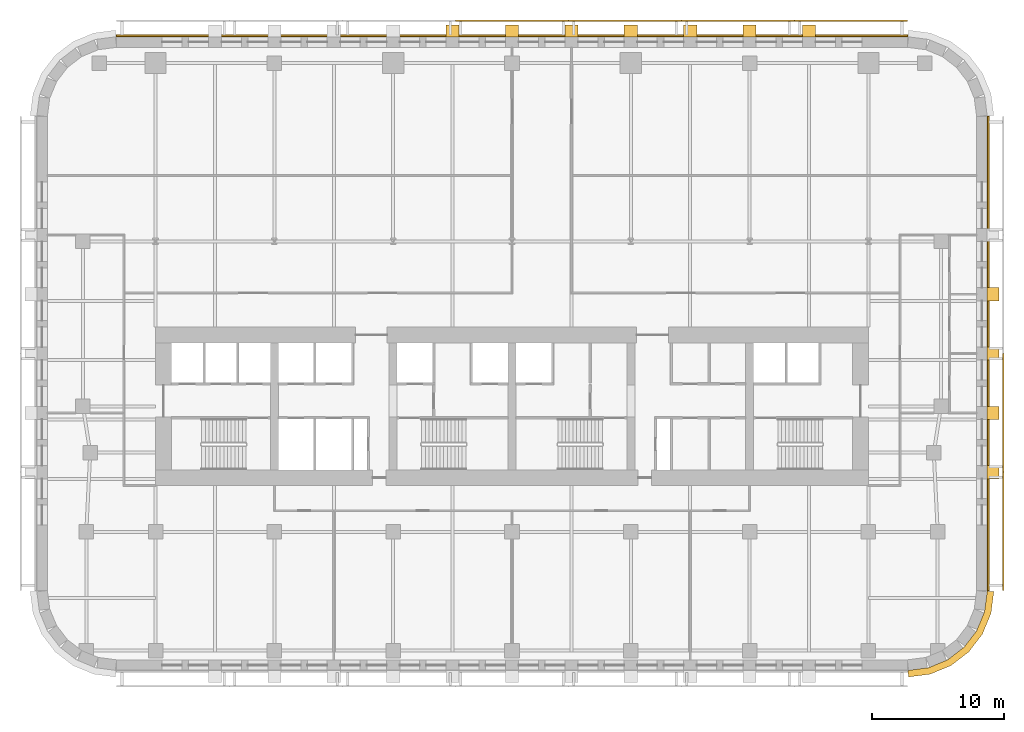
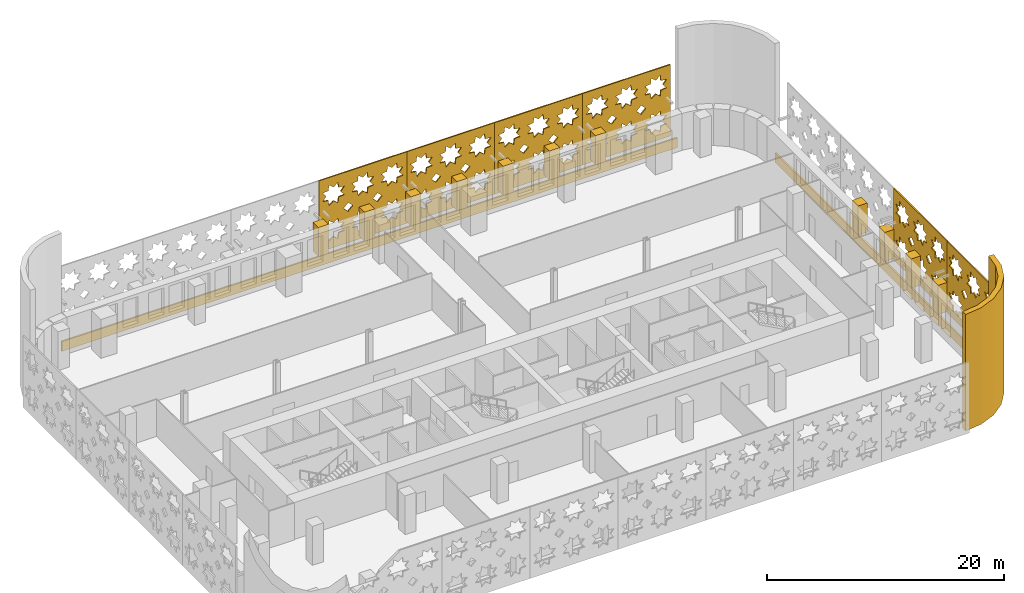
# One storey, part 14 of 15: 20 coverings.
"""IFC4 building model written with IfcOpenShell, lengths in metres."""

import ifcopenshell
import ifcopenshell.guid

model = None  # the IFC model being written
_history = None  # IfcOwnerHistory: only IFC2X3 demands one
_inside = {}  # id of a spatial element -> (the spatial element, [elements in it])
_under = {}  # id of a project, library or spatial element -> (it, [spatial elements below it])
_declared = {}  # id of a project -> (the project, [libraries it declares])
_typed = {}  # id of a type object -> (the type object, [elements of that type])
_made_of = {}  # id of a material, layer set ... -> (it, [elements and type objects made of it])


def new_model(schema):
    """Start an empty IFC model of exactly this schema.

    Asked for "IFC4X3", IfcOpenShell would pick the latest addendum, in which some entities
    have other attributes; the version numbers below select the first issue.
    IFC2X3 requires an IfcOwnerHistory on every rooted entity: one is made here for all.
    """
    global model, _history
    if schema == "IFC4X3":
        model = ifcopenshell.file(schema_version=(4, 3, 0, 0))
    else:
        model = ifcopenshell.file(schema=schema)
    _inside.clear()
    _under.clear()
    _declared.clear()
    _typed.clear()
    _made_of.clear()
    _history = None
    if model.schema == "IFC2X3":
        org = make("IfcOrganization", Name="unknown")
        user = make(
            "IfcPersonAndOrganization",
            ThePerson=make("IfcPerson", FamilyName="unknown"),
            TheOrganization=org,
        )
        app = make(
            "IfcApplication",
            ApplicationDeveloper=org,
            Version="unknown",
            ApplicationFullName="unknown",
            ApplicationIdentifier="unknown",
        )
        _history = make(
            "IfcOwnerHistory",
            OwningUser=user,
            OwningApplication=app,
            ChangeAction="ADDED",
            CreationDate=0,
        )
    return model


def make(cls, **values):
    """One entity of the class cls with the attributes given. An attribute that is None is left unset."""
    return model.create_entity(
        cls, **{name: value for name, value in values.items() if value is not None}
    )


def rooted(cls, **values):
    """An entity with a GlobalId (a new one), such as an element, a storey or a relation."""
    return make(cls, GlobalId=ifcopenshell.guid.new(), OwnerHistory=_history, **values)


def si_unit(unit_type, name, prefix=None):
    """IfcSIUnit, for example si_unit("LENGTHUNIT", "METRE", prefix="MILLI")."""
    return make("IfcSIUnit", UnitType=unit_type, Prefix=prefix, Name=name)


def assignment(units):
    """IfcUnitAssignment: the units of a project."""
    return None if units is None else make("IfcUnitAssignment", Units=units)


def point(xyz):
    """IfcCartesianPoint."""
    return None if xyz is None else make("IfcCartesianPoint", Coordinates=xyz)


def direction(xyz):
    """IfcDirection."""
    return None if xyz is None else make("IfcDirection", DirectionRatios=xyz)


def frame(location, z_axis=None, x_axis=None):
    """IfcAxis2Placement3D, a coordinate frame: its origin and axes. An axis left out is left unset."""
    return make(
        "IfcAxis2Placement3D",
        Location=point(location),
        Axis=direction(z_axis),
        RefDirection=direction(x_axis),
    )


def origin():
    """The frame at (0, 0, 0) with its axes left unset."""
    return frame((0.0, 0.0, 0.0))


def place(relative_to, where):
    """IfcLocalPlacement: puts the frame where relative to a parent placement (None: the world)."""
    return make(
        "IfcLocalPlacement", PlacementRelTo=relative_to, RelativePlacement=where
    )


def context(
    kind, dimensions, precision=None, world=None, true_north=None, identifier=None
):
    """IfcGeometricRepresentationContext, for example the 3D "Model" context."""
    return make(
        "IfcGeometricRepresentationContext",
        ContextIdentifier=identifier,
        ContextType=kind,
        CoordinateSpaceDimension=dimensions,
        Precision=precision,
        WorldCoordinateSystem=world,
        TrueNorth=true_north,
    )


def subcontext(parent, identifier, kind, view, scale=None):
    """IfcGeometricRepresentationSubContext, for example "Body" below "Model"."""
    return make(
        "IfcGeometricRepresentationSubContext",
        ContextIdentifier=identifier,
        ContextType=kind,
        ParentContext=parent,
        TargetScale=scale,
        TargetView=view,
    )


def project(units=None, contexts=None):
    """IfcProject with its units and contexts."""
    return rooted(
        "IfcProject",
        Name="project",
        RepresentationContexts=contexts,
        UnitsInContext=assignment(units),
    )


def spatial(cls, under=None, at=None, **own):
    """A site, building, storey or space (cls), placed at a placement, below another one or the project."""
    s = rooted(cls, ObjectPlacement=at, **own)
    if under is not None:
        _under.setdefault(under.id(), (under, []))[1].append(s)
    return s


def polyline(points):
    """IfcPolyline through the points."""
    return make("IfcPolyline", Points=[point(p) for p in points])


def outline(outer, holes=None, kind="AREA"):
    """IfcArbitraryClosedProfileDef: a profile drawn as a closed curve; with holes, ...WithVoids."""
    if holes is None:
        return make("IfcArbitraryClosedProfileDef", ProfileType=kind, OuterCurve=outer)
    return make(
        "IfcArbitraryProfileDefWithVoids",
        ProfileType=kind,
        OuterCurve=outer,
        InnerCurves=holes,
    )


def extrude(swept, where, along, depth):
    """IfcExtrudedAreaSolid: the profile swept, set in the frame where, extruded along a direction by depth."""
    return make(
        "IfcExtrudedAreaSolid",
        SweptArea=swept,
        Position=where,
        ExtrudedDirection=direction(along),
        Depth=depth,
    )


def shape(context_of_items, identifier, shape_type, items):
    """IfcShapeRepresentation: the items that make up one representation, for example the "Body"."""
    return make(
        "IfcShapeRepresentation",
        ContextOfItems=context_of_items,
        RepresentationIdentifier=identifier,
        RepresentationType=shape_type,
        Items=items,
    )


def material(Name=None, Category=None):
    """IfcMaterial."""
    return make("IfcMaterial", Name=Name, Category=Category)


def layer(
    of_material, thickness, ventilated=None, Name=None, Category=None, Priority=None
):
    """IfcMaterialLayer: one layer of a wall or slab, of a material (None: an air gap)."""
    return make(
        "IfcMaterialLayer",
        Material=of_material,
        LayerThickness=thickness,
        IsVentilated=ventilated,
        Name=Name,
        Category=Category,
        Priority=Priority,
    )


def layer_set(layers, Name=None):
    """IfcMaterialLayerSet."""
    return make("IfcMaterialLayerSet", MaterialLayers=layers, LayerSetName=Name)


def made_of(thing, what):
    """Note that an element or type object is made of a material, layer set ...; save() writes the relation."""
    if what is not None:
        _made_of.setdefault(what.id(), (what, []))[1].append(thing)
    return thing


def type_object(cls, material=None, **own):
    """A type object (cls), such as IfcWallType, which elements share."""
    return made_of(rooted(cls, **own), material)


def element(
    cls,
    number,
    at=None,
    inside=None,
    cuts=None,
    type_object=None,
    material=None,
    context=None,
    identifier="Body",
    shape_type=None,
    held_by="IfcProductDefinitionShape",
    body=None,
    shapes=None,
    **own,
):
    """One element of the class cls, such as IfcWall. Its Tag is "e" and its number.

    at: its placement. inside: the storey or other place that contains it. cuts: it is an
    opening in that element (IfcRelVoidsElement). A single representation is given by context,
    identifier, shape_type and body (its items); several are given by shapes. held_by: the class
    of the entity that holds the representations. save() writes the other relations.
    """
    e = rooted(cls, Tag="e%d" % number, ObjectPlacement=at, **own)
    if body is not None:
        shapes = [shape(context, identifier, shape_type, body)]
    if shapes is not None:
        e.Representation = make(held_by, Representations=shapes)
    if inside is not None:
        _inside.setdefault(inside.id(), (inside, []))[1].append(e)
    if cuts is not None:
        rooted(
            "IfcRelVoidsElement", RelatingBuildingElement=cuts, RelatedOpeningElement=e
        )
    if type_object is not None:
        _typed.setdefault(type_object.id(), (type_object, []))[1].append(e)
    return made_of(e, material)


def aggregate(whole, parts):
    """IfcRelAggregates: a whole, such as a stair, and the parts it consists of."""
    return rooted("IfcRelAggregates", RelatingObject=whole, RelatedObjects=parts)


def save(model, path):
    """Write the relations noted so far, then the file.

    IfcRelAggregates (storeys below a building ...), IfcRelContainedInSpatialStructure (elements
    in a storey), IfcRelDefinesByType, IfcRelAssociatesMaterial and IfcRelDeclares: one each for
    every whole, place, type object, material and project.
    """
    for whole, parts in _under.values():
        aggregate(whole, parts)
    for where, things in _inside.values():
        rooted(
            "IfcRelContainedInSpatialStructure",
            RelatedElements=things,
            RelatingStructure=where,
        )
    for kind, things in _typed.values():
        rooted("IfcRelDefinesByType", RelatedObjects=things, RelatingType=kind)
    for what, things in _made_of.values():
        rooted("IfcRelAssociatesMaterial", RelatedObjects=things, RelatingMaterial=what)
    for by, libraries in _declared.values():
        rooted("IfcRelDeclares", RelatingContext=by, RelatedDefinitions=libraries)
    model.write(path)


model = new_model("IFC4")

# Units and contexts
model_context = context("Model", 3, precision=1e-05, world=origin(), true_north=direction((0.0, 1.0)))
body_context = subcontext(model_context, "Body", "Model", "MODEL_VIEW")
ifc_project = project(units=[si_unit("LENGTHUNIT", "METRE"), si_unit("AREAUNIT", "SQUARE_METRE"), si_unit("VOLUMEUNIT", "CUBIC_METRE"), si_unit("PLANEANGLEUNIT", "RADIAN"), si_unit("MASSUNIT", "GRAM", prefix="KILO")], contexts=[model_context])

# Site, building, storey
site_placement = place(None, origin())
site = spatial("IfcSite", under=ifc_project, at=site_placement, CompositionType="ELEMENT")
building_placement = place(site_placement, origin())
building = spatial("IfcBuilding", under=site, at=building_placement, Name="Zellij Exchange Tower", CompositionType="ELEMENT")
storey_placement = place(building_placement, frame((0.0, 0.0, 76.5)))
storey = spatial("IfcBuildingStorey", under=building, at=storey_placement, Name="L15", CompositionType="ELEMENT", Elevation=76.5)

# Coverings
ifc_material_1 = material(Name="Limestone cladding", Category="masonry")
ifc_layer_1 = layer(ifc_material_1, 0.14990234375)
ifc_layer_set_1 = layer_set([ifc_layer_1], Name="Limestone cladding")
covering_type_1 = type_object("IfcCoveringType", Name="ENV-CV1 Stone spandrel band 150", PredefinedType="CLADDING", material=ifc_layer_set_1)
covering_1_placement = place(storey_placement, frame((0.0, 0.0, -0.199951171875)))
element("IfcCovering", 1, at=covering_1_placement, inside=storey, type_object=covering_type_1, Name="Stone spandrel band", PredefinedType="CLADDING", context=body_context, shape_type="SweptSolid", body=[
    extrude(outline(polyline([(36.0, -21.973876953125), (36.0, 13.973876953125), (36.14990234375, 13.983642578125), (36.14990234375, -21.983642578125), (36.0, -21.973876953125)])), origin(), (0.0, 0.0, 1.0), 1.0),
])
covering_2_placement = place(storey_placement, frame((0.0, 0.0, -0.199951171875)))
element("IfcCovering", 2, at=covering_2_placement, inside=storey, type_object=covering_type_1, Name="Stone spandrel band", PredefinedType="CLADDING", context=body_context, shape_type="SweptSolid", body=[
    extrude(outline(polyline([(29.973876953125, 20.0), (-29.973876953125, 20.0), (-29.983642578125, 20.14990234375), (29.983642578125, 20.14990234375), (29.973876953125, 20.0)])), origin(), (0.0, 0.0, 1.0), 1.0),
])
ifc_layer_2 = layer(ifc_material_1, 0.5)
ifc_layer_set_2 = layer_set([ifc_layer_2], Name="Limestone cladding")
covering_type_2 = type_object("IfcCoveringType", Name="ENV-CV12 Stone corner pier 500", PredefinedType="CLADDING", material=ifc_layer_set_2)
covering_3_placement = place(storey_placement, origin())
element("IfcCovering", 3, at=covering_3_placement, inside=storey, type_object=covering_type_2, Name="Stone corner pier", PredefinedType="CLADDING", context=body_context, shape_type="SweptSolid", body=[
    extrude(outline(polyline([(30.0, -28.0), (31.552978515625, -27.795654296875), (33.0, -27.1962890625), (34.24267578125, -26.24267578125), (35.1962890625, -25.0), (35.795654296875, -23.552978515625), (36.0, -22.0), (36.5, -22.03271484375), (36.28271484375, -23.683349609375), (35.6328125, -25.252197265625), (34.59912109375, -26.59912109375), (33.252197265625, -27.6328125), (31.683349609375, -28.28271484375), (30.03271484375, -28.5), (30.0, -28.0)])), origin(), (0.0, 0.0, 1.0), 12.0),
])
covering_type_3 = type_object("IfcCoveringType", Name="ENV-CV2 Stone pier 1000x900", PredefinedType="CLADDING", material=ifc_material_1)
covering_4_placement = place(storey_placement, frame((0.0, 0.0, 0.800048828125)))
element("IfcCovering", 4, at=covering_4_placement, inside=storey, type_object=covering_type_3, Name="Stone pier", PredefinedType="CLADDING", context=body_context, shape_type="SweptSolid", body=[
    extrude(outline(polyline([(36.0, -13.48681640625), (36.0, -12.48681640625), (36.89990234375, -12.48681640625), (36.89990234375, -13.48681640625), (36.0, -13.48681640625)])), origin(), (0.0, 0.0, 1.0), 3.0),
])
covering_5_placement = place(storey_placement, frame((0.0, 0.0, 0.800048828125)))
element("IfcCovering", 5, at=covering_5_placement, inside=storey, type_object=covering_type_3, Name="Stone pier", PredefinedType="CLADDING", context=body_context, shape_type="SweptSolid", body=[
    extrude(outline(polyline([(36.0, -8.993408203125), (36.0, -7.993408203125), (36.89990234375, -7.993408203125), (36.89990234375, -8.993408203125), (36.0, -8.993408203125)])), origin(), (0.0, 0.0, 1.0), 3.0),
])
covering_6_placement = place(storey_placement, frame((0.0, 0.0, 0.800048828125)))
element("IfcCovering", 6, at=covering_6_placement, inside=storey, type_object=covering_type_3, Name="Stone pier", PredefinedType="CLADDING", context=body_context, shape_type="SweptSolid", body=[
    extrude(outline(polyline([(36.0, -4.5), (36.0, -3.5), (36.89990234375, -3.5), (36.89990234375, -4.5), (36.0, -4.5)])), origin(), (0.0, 0.0, 1.0), 3.0),
])
covering_7_placement = place(storey_placement, frame((0.0, 0.0, 0.800048828125)))
element("IfcCovering", 7, at=covering_7_placement, inside=storey, type_object=covering_type_3, Name="Stone pier", PredefinedType="CLADDING", context=body_context, shape_type="SweptSolid", body=[
    extrude(outline(polyline([(36.0, -0.006591796875), (36.0, 0.993408203125), (36.89990234375, 0.993408203125), (36.89990234375, -0.006591796875), (36.0, -0.006591796875)])), origin(), (0.0, 0.0, 1.0), 3.0),
])
covering_8_placement = place(storey_placement, frame((0.0, 0.0, 0.800048828125)))
element("IfcCovering", 8, at=covering_8_placement, inside=storey, type_object=covering_type_3, Name="Stone pier", PredefinedType="CLADDING", context=body_context, shape_type="SweptSolid", body=[
    extrude(outline(polyline([(23.0, 20.0), (22.0, 20.0), (22.0, 20.89990234375), (23.0, 20.89990234375), (23.0, 20.0)])), origin(), (0.0, 0.0, 1.0), 3.0),
])
covering_9_placement = place(storey_placement, frame((0.0, 0.0, 0.800048828125)))
element("IfcCovering", 9, at=covering_9_placement, inside=storey, type_object=covering_type_3, Name="Stone pier", PredefinedType="CLADDING", context=body_context, shape_type="SweptSolid", body=[
    extrude(outline(polyline([(18.5, 20.0), (17.5, 20.0), (17.5, 20.89990234375), (18.5, 20.89990234375), (18.5, 20.0)])), origin(), (0.0, 0.0, 1.0), 3.0),
])
covering_10_placement = place(storey_placement, frame((0.0, 0.0, 0.800048828125)))
element("IfcCovering", 10, at=covering_10_placement, inside=storey, type_object=covering_type_3, Name="Stone pier", PredefinedType="CLADDING", context=body_context, shape_type="SweptSolid", body=[
    extrude(outline(polyline([(14.0, 20.0), (13.0, 20.0), (13.0, 20.89990234375), (14.0, 20.89990234375), (14.0, 20.0)])), origin(), (0.0, 0.0, 1.0), 3.0),
])
covering_11_placement = place(storey_placement, frame((0.0, 0.0, 0.800048828125)))
element("IfcCovering", 11, at=covering_11_placement, inside=storey, type_object=covering_type_3, Name="Stone pier", PredefinedType="CLADDING", context=body_context, shape_type="SweptSolid", body=[
    extrude(outline(polyline([(9.5, 20.0), (8.5, 20.0), (8.5, 20.89990234375), (9.5, 20.89990234375), (9.5, 20.0)])), origin(), (0.0, 0.0, 1.0), 3.0),
])
covering_12_placement = place(storey_placement, frame((0.0, 0.0, 0.800048828125)))
element("IfcCovering", 12, at=covering_12_placement, inside=storey, type_object=covering_type_3, Name="Stone pier", PredefinedType="CLADDING", context=body_context, shape_type="SweptSolid", body=[
    extrude(outline(polyline([(5.0, 20.0), (4.0, 20.0), (4.0, 20.89990234375), (5.0, 20.89990234375), (5.0, 20.0)])), origin(), (0.0, 0.0, 1.0), 3.0),
])
covering_13_placement = place(storey_placement, frame((0.0, 0.0, 0.800048828125)))
element("IfcCovering", 13, at=covering_13_placement, inside=storey, type_object=covering_type_3, Name="Stone pier", PredefinedType="CLADDING", context=body_context, shape_type="SweptSolid", body=[
    extrude(outline(polyline([(0.5, 20.0), (-0.5, 20.0), (-0.5, 20.89990234375), (0.5, 20.89990234375), (0.5, 20.0)])), origin(), (0.0, 0.0, 1.0), 3.0),
])
covering_14_placement = place(storey_placement, frame((0.0, 0.0, 0.800048828125)))
element("IfcCovering", 14, at=covering_14_placement, inside=storey, type_object=covering_type_3, Name="Stone pier", PredefinedType="CLADDING", context=body_context, shape_type="SweptSolid", body=[
    extrude(outline(polyline([(-4.0, 20.0), (-5.0, 20.0), (-5.0, 20.89990234375), (-4.0, 20.89990234375), (-4.0, 20.0)])), origin(), (0.0, 0.0, 1.0), 3.0),
])
ifc_material_2 = material(Name="Limestone screen", Category="masonry")
ifc_layer_3 = layer(ifc_material_2, 0.1201171875)
ifc_layer_set_3 = layer_set([ifc_layer_3], Name="Limestone screen")
covering_type_4 = type_object("IfcCoveringType", Name="ENV-SC1 Pierced stone screen 120", PredefinedType="USERDEFINED", material=ifc_layer_set_3)
covering_15_placement = place(storey_placement, frame((29.947509765625, 21.2099609375, 0.300048828125), z_axis=(0.0, 0.0, 1.0), x_axis=(-1.0, 0.0, 0.0)))
element("IfcCovering", 15, at=covering_15_placement, inside=storey, type_object=covering_type_4, Name="Pierced stone screen", ObjectType="SCREEN", PredefinedType="USERDEFINED", context=body_context, shape_type="SweptSolid", body=[
    extrude(outline(polyline([(0.0, 0.0), (8.556396484375, 0.0), (8.556396484375, 7.35009765625), (0.0, 7.35009765625), (0.0, 0.0)]), holes=[polyline([(2.47998046875, 2.274169921875), (1.92626953125, 2.337646484375), (1.86279296875, 2.8916015625), (1.426025390625, 2.544921875), (0.989501953125, 2.8916015625), (0.92578125, 2.337646484375), (0.3720703125, 2.274169921875), (0.71875, 1.83740234375), (0.3720703125, 1.40087890625), (0.92578125, 1.33740234375), (0.989501953125, 0.783447265625), (1.426025390625, 1.130126953125), (1.86279296875, 0.783447265625), (1.92626953125, 1.33740234375), (2.47998046875, 1.40087890625), (2.13330078125, 1.83740234375), (2.47998046875, 2.274169921875)]), polyline([(2.47998046875, 5.94921875), (1.92626953125, 6.0126953125), (1.86279296875, 6.56640625), (1.426025390625, 6.2197265625), (0.989501953125, 6.56640625), (0.92578125, 6.0126953125), (0.3720703125, 5.94921875), (0.71875, 5.512451171875), (0.3720703125, 5.075927734375), (0.92578125, 5.01220703125), (0.989501953125, 4.45849609375), (1.426025390625, 4.80517578125), (1.86279296875, 4.45849609375), (1.92626953125, 5.01220703125), (2.47998046875, 5.075927734375), (2.13330078125, 5.512451171875), (2.47998046875, 5.94921875)]), polyline([(5.332275390625, 2.274169921875), (4.7783203125, 2.337646484375), (4.71484375, 2.8916015625), (4.2783203125, 2.544921875), (3.841552734375, 2.8916015625), (3.778076171875, 2.337646484375), (3.22412109375, 2.274169921875), (3.57080078125, 1.83740234375), (3.22412109375, 1.40087890625), (3.778076171875, 1.33740234375), (3.841552734375, 0.783447265625), (4.2783203125, 1.130126953125), (4.71484375, 0.783447265625), (4.7783203125, 1.33740234375), (5.332275390625, 1.40087890625), (4.985595703125, 1.83740234375), (5.332275390625, 2.274169921875)]), polyline([(5.332275390625, 5.94921875), (4.7783203125, 6.0126953125), (4.71484375, 6.56640625), (4.2783203125, 6.2197265625), (3.841552734375, 6.56640625), (3.778076171875, 6.0126953125), (3.22412109375, 5.94921875), (3.57080078125, 5.512451171875), (3.22412109375, 5.075927734375), (3.778076171875, 5.01220703125), (3.841552734375, 4.45849609375), (4.2783203125, 4.80517578125), (4.71484375, 4.45849609375), (4.7783203125, 5.01220703125), (5.332275390625, 5.075927734375), (4.985595703125, 5.512451171875), (5.332275390625, 5.94921875)]), polyline([(8.184326171875, 2.274169921875), (7.630615234375, 2.337646484375), (7.56689453125, 2.8916015625), (7.13037109375, 2.544921875), (6.69384765625, 2.8916015625), (6.630126953125, 2.337646484375), (6.076416015625, 2.274169921875), (6.423095703125, 1.83740234375), (6.076416015625, 1.40087890625), (6.630126953125, 1.33740234375), (6.69384765625, 0.783447265625), (7.13037109375, 1.130126953125), (7.56689453125, 0.783447265625), (7.630615234375, 1.33740234375), (8.184326171875, 1.40087890625), (7.837646484375, 1.83740234375), (8.184326171875, 2.274169921875)]), polyline([(8.184326171875, 5.94921875), (7.630615234375, 6.0126953125), (7.56689453125, 6.56640625), (7.13037109375, 6.2197265625), (6.69384765625, 6.56640625), (6.630126953125, 6.0126953125), (6.076416015625, 5.94921875), (6.423095703125, 5.512451171875), (6.076416015625, 5.075927734375), (6.630126953125, 5.01220703125), (6.69384765625, 4.45849609375), (7.13037109375, 4.80517578125), (7.56689453125, 4.45849609375), (7.630615234375, 5.01220703125), (8.184326171875, 5.075927734375), (7.837646484375, 5.512451171875), (8.184326171875, 5.94921875)]), polyline([(3.30859375, 3.675048828125), (2.852294921875, 4.13134765625), (2.395751953125, 3.675048828125), (2.852294921875, 3.21875), (3.30859375, 3.675048828125)]), polyline([(6.16064453125, 3.675048828125), (5.704345703125, 4.13134765625), (5.248046875, 3.675048828125), (5.704345703125, 3.21875), (6.16064453125, 3.675048828125)])]), frame((0.0, 0.06005859375, 0.0), z_axis=(0.0, -1.0, 0.0), x_axis=(1.0, 0.0, 0.0)), (0.0, 0.0, 1.0), 0.1201171875),
])
covering_16_placement = place(storey_placement, frame((21.39111328125, 21.2099609375, 0.300048828125), z_axis=(0.0, 0.0, 1.0), x_axis=(-1.0, 0.0, 0.0)))
element("IfcCovering", 16, at=covering_16_placement, inside=storey, type_object=covering_type_4, Name="Pierced stone screen", ObjectType="SCREEN", PredefinedType="USERDEFINED", context=body_context, shape_type="SweptSolid", body=[
    extrude(outline(polyline([(0.0, 0.0), (8.556396484375, 0.0), (8.556396484375, 7.35009765625), (0.0, 7.35009765625), (0.0, 0.0)]), holes=[polyline([(2.47998046875, 2.274169921875), (1.92626953125, 2.337646484375), (1.86279296875, 2.8916015625), (1.426025390625, 2.544921875), (0.989501953125, 2.8916015625), (0.92578125, 2.337646484375), (0.3720703125, 2.274169921875), (0.71875, 1.83740234375), (0.3720703125, 1.40087890625), (0.92578125, 1.33740234375), (0.989501953125, 0.783447265625), (1.426025390625, 1.130126953125), (1.86279296875, 0.783447265625), (1.92626953125, 1.33740234375), (2.47998046875, 1.40087890625), (2.13330078125, 1.83740234375), (2.47998046875, 2.274169921875)]), polyline([(2.47998046875, 5.94921875), (1.92626953125, 6.0126953125), (1.86279296875, 6.56640625), (1.426025390625, 6.2197265625), (0.989501953125, 6.56640625), (0.92578125, 6.0126953125), (0.3720703125, 5.94921875), (0.71875, 5.512451171875), (0.3720703125, 5.075927734375), (0.92578125, 5.01220703125), (0.989501953125, 4.45849609375), (1.426025390625, 4.80517578125), (1.86279296875, 4.45849609375), (1.92626953125, 5.01220703125), (2.47998046875, 5.075927734375), (2.13330078125, 5.512451171875), (2.47998046875, 5.94921875)]), polyline([(5.332275390625, 2.274169921875), (4.7783203125, 2.337646484375), (4.71484375, 2.8916015625), (4.2783203125, 2.544921875), (3.841552734375, 2.8916015625), (3.778076171875, 2.337646484375), (3.22412109375, 2.274169921875), (3.57080078125, 1.83740234375), (3.22412109375, 1.40087890625), (3.778076171875, 1.33740234375), (3.841552734375, 0.783447265625), (4.2783203125, 1.130126953125), (4.71484375, 0.783447265625), (4.7783203125, 1.33740234375), (5.332275390625, 1.40087890625), (4.985595703125, 1.83740234375), (5.332275390625, 2.274169921875)]), polyline([(5.332275390625, 5.94921875), (4.7783203125, 6.0126953125), (4.71484375, 6.56640625), (4.2783203125, 6.2197265625), (3.841552734375, 6.56640625), (3.778076171875, 6.0126953125), (3.22412109375, 5.94921875), (3.57080078125, 5.512451171875), (3.22412109375, 5.075927734375), (3.778076171875, 5.01220703125), (3.841552734375, 4.45849609375), (4.2783203125, 4.80517578125), (4.71484375, 4.45849609375), (4.7783203125, 5.01220703125), (5.332275390625, 5.075927734375), (4.985595703125, 5.512451171875), (5.332275390625, 5.94921875)]), polyline([(8.184326171875, 2.274169921875), (7.630615234375, 2.337646484375), (7.56689453125, 2.8916015625), (7.13037109375, 2.544921875), (6.69384765625, 2.8916015625), (6.630126953125, 2.337646484375), (6.076416015625, 2.274169921875), (6.423095703125, 1.83740234375), (6.076416015625, 1.40087890625), (6.630126953125, 1.33740234375), (6.69384765625, 0.783447265625), (7.13037109375, 1.130126953125), (7.56689453125, 0.783447265625), (7.630615234375, 1.33740234375), (8.184326171875, 1.40087890625), (7.837646484375, 1.83740234375), (8.184326171875, 2.274169921875)]), polyline([(8.184326171875, 5.94921875), (7.630615234375, 6.0126953125), (7.56689453125, 6.56640625), (7.13037109375, 6.2197265625), (6.69384765625, 6.56640625), (6.630126953125, 6.0126953125), (6.076416015625, 5.94921875), (6.423095703125, 5.512451171875), (6.076416015625, 5.075927734375), (6.630126953125, 5.01220703125), (6.69384765625, 4.45849609375), (7.13037109375, 4.80517578125), (7.56689453125, 4.45849609375), (7.630615234375, 5.01220703125), (8.184326171875, 5.075927734375), (7.837646484375, 5.512451171875), (8.184326171875, 5.94921875)]), polyline([(3.30859375, 3.675048828125), (2.852294921875, 4.13134765625), (2.395751953125, 3.675048828125), (2.852294921875, 3.21875), (3.30859375, 3.675048828125)]), polyline([(6.16064453125, 3.675048828125), (5.704345703125, 4.13134765625), (5.248046875, 3.675048828125), (5.704345703125, 3.21875), (6.16064453125, 3.675048828125)])]), frame((0.0, 0.06005859375, 0.0), z_axis=(0.0, -1.0, 0.0), x_axis=(1.0, 0.0, 0.0)), (0.0, 0.0, 1.0), 0.1201171875),
])
covering_17_placement = place(storey_placement, frame((12.834716796875, 21.2099609375, 0.300048828125), z_axis=(0.0, 0.0, 1.0), x_axis=(-1.0, 0.0, 0.0)))
element("IfcCovering", 17, at=covering_17_placement, inside=storey, type_object=covering_type_4, Name="Pierced stone screen", ObjectType="SCREEN", PredefinedType="USERDEFINED", context=body_context, shape_type="SweptSolid", body=[
    extrude(outline(polyline([(0.0, 0.0), (8.556396484375, 0.0), (8.556396484375, 7.35009765625), (0.0, 7.35009765625), (0.0, 0.0)]), holes=[polyline([(2.47998046875, 2.274169921875), (1.92626953125, 2.337646484375), (1.86279296875, 2.8916015625), (1.426025390625, 2.544921875), (0.989501953125, 2.8916015625), (0.92578125, 2.337646484375), (0.3720703125, 2.274169921875), (0.71875, 1.83740234375), (0.3720703125, 1.40087890625), (0.92578125, 1.33740234375), (0.989501953125, 0.783447265625), (1.426025390625, 1.130126953125), (1.86279296875, 0.783447265625), (1.92626953125, 1.33740234375), (2.47998046875, 1.40087890625), (2.13330078125, 1.83740234375), (2.47998046875, 2.274169921875)]), polyline([(2.47998046875, 5.94921875), (1.92626953125, 6.0126953125), (1.86279296875, 6.56640625), (1.426025390625, 6.2197265625), (0.989501953125, 6.56640625), (0.92578125, 6.0126953125), (0.3720703125, 5.94921875), (0.71875, 5.512451171875), (0.3720703125, 5.075927734375), (0.92578125, 5.01220703125), (0.989501953125, 4.45849609375), (1.426025390625, 4.80517578125), (1.86279296875, 4.45849609375), (1.92626953125, 5.01220703125), (2.47998046875, 5.075927734375), (2.13330078125, 5.512451171875), (2.47998046875, 5.94921875)]), polyline([(5.332275390625, 2.274169921875), (4.7783203125, 2.337646484375), (4.71484375, 2.8916015625), (4.2783203125, 2.544921875), (3.841552734375, 2.8916015625), (3.778076171875, 2.337646484375), (3.22412109375, 2.274169921875), (3.57080078125, 1.83740234375), (3.22412109375, 1.40087890625), (3.778076171875, 1.33740234375), (3.841552734375, 0.783447265625), (4.2783203125, 1.130126953125), (4.71484375, 0.783447265625), (4.7783203125, 1.33740234375), (5.332275390625, 1.40087890625), (4.985595703125, 1.83740234375), (5.332275390625, 2.274169921875)]), polyline([(5.332275390625, 5.94921875), (4.7783203125, 6.0126953125), (4.71484375, 6.56640625), (4.2783203125, 6.2197265625), (3.841552734375, 6.56640625), (3.778076171875, 6.0126953125), (3.22412109375, 5.94921875), (3.57080078125, 5.512451171875), (3.22412109375, 5.075927734375), (3.778076171875, 5.01220703125), (3.841552734375, 4.45849609375), (4.2783203125, 4.80517578125), (4.71484375, 4.45849609375), (4.7783203125, 5.01220703125), (5.332275390625, 5.075927734375), (4.985595703125, 5.512451171875), (5.332275390625, 5.94921875)]), polyline([(8.184326171875, 2.274169921875), (7.630615234375, 2.337646484375), (7.56689453125, 2.8916015625), (7.13037109375, 2.544921875), (6.69384765625, 2.8916015625), (6.630126953125, 2.337646484375), (6.076416015625, 2.274169921875), (6.423095703125, 1.83740234375), (6.076416015625, 1.40087890625), (6.630126953125, 1.33740234375), (6.69384765625, 0.783447265625), (7.13037109375, 1.130126953125), (7.56689453125, 0.783447265625), (7.630615234375, 1.33740234375), (8.184326171875, 1.40087890625), (7.837646484375, 1.83740234375), (8.184326171875, 2.274169921875)]), polyline([(8.184326171875, 5.94921875), (7.630615234375, 6.0126953125), (7.56689453125, 6.56640625), (7.13037109375, 6.2197265625), (6.69384765625, 6.56640625), (6.630126953125, 6.0126953125), (6.076416015625, 5.94921875), (6.423095703125, 5.512451171875), (6.076416015625, 5.075927734375), (6.630126953125, 5.01220703125), (6.69384765625, 4.45849609375), (7.13037109375, 4.80517578125), (7.56689453125, 4.45849609375), (7.630615234375, 5.01220703125), (8.184326171875, 5.075927734375), (7.837646484375, 5.512451171875), (8.184326171875, 5.94921875)]), polyline([(3.30859375, 3.675048828125), (2.852294921875, 4.13134765625), (2.395751953125, 3.675048828125), (2.852294921875, 3.21875), (3.30859375, 3.675048828125)]), polyline([(6.16064453125, 3.675048828125), (5.704345703125, 4.13134765625), (5.248046875, 3.675048828125), (5.704345703125, 3.21875), (6.16064453125, 3.675048828125)])]), frame((0.0, 0.06005859375, 0.0), z_axis=(0.0, -1.0, 0.0), x_axis=(1.0, 0.0, 0.0)), (0.0, 0.0, 1.0), 0.1201171875),
])
covering_18_placement = place(storey_placement, frame((4.2783203125, 21.2099609375, 0.300048828125), z_axis=(0.0, 0.0, 1.0), x_axis=(-1.0, 0.0, 0.0)))
element("IfcCovering", 18, at=covering_18_placement, inside=storey, type_object=covering_type_4, Name="Pierced stone screen", ObjectType="SCREEN", PredefinedType="USERDEFINED", context=body_context, shape_type="SweptSolid", body=[
    extrude(outline(polyline([(0.0, 0.0), (8.556396484375, 0.0), (8.556396484375, 7.35009765625), (0.0, 7.35009765625), (0.0, 0.0)]), holes=[polyline([(2.47998046875, 2.274169921875), (1.92626953125, 2.337646484375), (1.86279296875, 2.8916015625), (1.426025390625, 2.544921875), (0.989501953125, 2.8916015625), (0.92578125, 2.337646484375), (0.3720703125, 2.274169921875), (0.71875, 1.83740234375), (0.3720703125, 1.40087890625), (0.92578125, 1.33740234375), (0.989501953125, 0.783447265625), (1.426025390625, 1.130126953125), (1.86279296875, 0.783447265625), (1.92626953125, 1.33740234375), (2.47998046875, 1.40087890625), (2.13330078125, 1.83740234375), (2.47998046875, 2.274169921875)]), polyline([(2.47998046875, 5.94921875), (1.92626953125, 6.0126953125), (1.86279296875, 6.56640625), (1.426025390625, 6.2197265625), (0.989501953125, 6.56640625), (0.92578125, 6.0126953125), (0.3720703125, 5.94921875), (0.71875, 5.512451171875), (0.3720703125, 5.075927734375), (0.92578125, 5.01220703125), (0.989501953125, 4.45849609375), (1.426025390625, 4.80517578125), (1.86279296875, 4.45849609375), (1.92626953125, 5.01220703125), (2.47998046875, 5.075927734375), (2.13330078125, 5.512451171875), (2.47998046875, 5.94921875)]), polyline([(5.332275390625, 2.274169921875), (4.7783203125, 2.337646484375), (4.71484375, 2.8916015625), (4.2783203125, 2.544921875), (3.841552734375, 2.8916015625), (3.778076171875, 2.337646484375), (3.22412109375, 2.274169921875), (3.57080078125, 1.83740234375), (3.22412109375, 1.40087890625), (3.778076171875, 1.33740234375), (3.841552734375, 0.783447265625), (4.2783203125, 1.130126953125), (4.71484375, 0.783447265625), (4.7783203125, 1.33740234375), (5.332275390625, 1.40087890625), (4.985595703125, 1.83740234375), (5.332275390625, 2.274169921875)]), polyline([(5.332275390625, 5.94921875), (4.7783203125, 6.0126953125), (4.71484375, 6.56640625), (4.2783203125, 6.2197265625), (3.841552734375, 6.56640625), (3.778076171875, 6.0126953125), (3.22412109375, 5.94921875), (3.57080078125, 5.512451171875), (3.22412109375, 5.075927734375), (3.778076171875, 5.01220703125), (3.841552734375, 4.45849609375), (4.2783203125, 4.80517578125), (4.71484375, 4.45849609375), (4.7783203125, 5.01220703125), (5.332275390625, 5.075927734375), (4.985595703125, 5.512451171875), (5.332275390625, 5.94921875)]), polyline([(8.184326171875, 2.274169921875), (7.630615234375, 2.337646484375), (7.56689453125, 2.8916015625), (7.13037109375, 2.544921875), (6.69384765625, 2.8916015625), (6.630126953125, 2.337646484375), (6.076416015625, 2.274169921875), (6.423095703125, 1.83740234375), (6.076416015625, 1.40087890625), (6.630126953125, 1.33740234375), (6.69384765625, 0.783447265625), (7.13037109375, 1.130126953125), (7.56689453125, 0.783447265625), (7.630615234375, 1.33740234375), (8.184326171875, 1.40087890625), (7.837646484375, 1.83740234375), (8.184326171875, 2.274169921875)]), polyline([(8.184326171875, 5.94921875), (7.630615234375, 6.0126953125), (7.56689453125, 6.56640625), (7.13037109375, 6.2197265625), (6.69384765625, 6.56640625), (6.630126953125, 6.0126953125), (6.076416015625, 5.94921875), (6.423095703125, 5.512451171875), (6.076416015625, 5.075927734375), (6.630126953125, 5.01220703125), (6.69384765625, 4.45849609375), (7.13037109375, 4.80517578125), (7.56689453125, 4.45849609375), (7.630615234375, 5.01220703125), (8.184326171875, 5.075927734375), (7.837646484375, 5.512451171875), (8.184326171875, 5.94921875)]), polyline([(3.30859375, 3.675048828125), (2.852294921875, 4.13134765625), (2.395751953125, 3.675048828125), (2.852294921875, 3.21875), (3.30859375, 3.675048828125)]), polyline([(6.16064453125, 3.675048828125), (5.704345703125, 4.13134765625), (5.248046875, 3.675048828125), (5.704345703125, 3.21875), (6.16064453125, 3.675048828125)])]), frame((0.0, 0.06005859375, 0.0), z_axis=(0.0, -1.0, 0.0), x_axis=(1.0, 0.0, 0.0)), (0.0, 0.0, 1.0), 0.1201171875),
])
covering_19_placement = place(storey_placement, frame((37.2099609375, -21.947509765625, 0.300048828125), z_axis=(0.0, 0.0, 1.0), x_axis=(0.0, 1.0, 0.0)))
element("IfcCovering", 19, at=covering_19_placement, inside=storey, type_object=covering_type_4, Name="Pierced stone screen", ObjectType="SCREEN", PredefinedType="USERDEFINED", context=body_context, shape_type="SweptSolid", body=[
    extrude(outline(polyline([(0.0, 0.0), (8.973876953125, 0.0), (8.973876953125, 7.35009765625), (0.0, 7.35009765625), (0.0, 0.0)]), holes=[polyline([(2.60107421875, 2.29541015625), (2.020263671875, 2.362060546875), (1.95361328125, 2.94287109375), (1.49560546875, 2.579345703125), (1.03759765625, 2.94287109375), (0.97119140625, 2.362060546875), (0.39013671875, 2.29541015625), (0.75390625, 1.83740234375), (0.39013671875, 1.379638671875), (0.97119140625, 1.31298828125), (1.03759765625, 0.732177734375), (1.49560546875, 1.095703125), (1.95361328125, 0.732177734375), (2.020263671875, 1.31298828125), (2.60107421875, 1.379638671875), (2.237548828125, 1.83740234375), (2.60107421875, 2.29541015625)]), polyline([(2.60107421875, 5.970458984375), (2.020263671875, 6.037109375), (1.95361328125, 6.617919921875), (1.49560546875, 6.25439453125), (1.03759765625, 6.617919921875), (0.97119140625, 6.037109375), (0.39013671875, 5.970458984375), (0.75390625, 5.512451171875), (0.39013671875, 5.0546875), (0.97119140625, 4.98779296875), (1.03759765625, 4.406982421875), (1.49560546875, 4.770751953125), (1.95361328125, 4.406982421875), (2.020263671875, 4.98779296875), (2.60107421875, 5.0546875), (2.237548828125, 5.512451171875), (2.60107421875, 5.970458984375)]), polyline([(5.59228515625, 2.29541015625), (5.011474609375, 2.362060546875), (4.94482421875, 2.94287109375), (4.48681640625, 2.579345703125), (4.029052734375, 2.94287109375), (3.96240234375, 2.362060546875), (3.381591796875, 2.29541015625), (3.7451171875, 1.83740234375), (3.381591796875, 1.379638671875), (3.96240234375, 1.31298828125), (4.029052734375, 0.732177734375), (4.48681640625, 1.095703125), (4.94482421875, 0.732177734375), (5.011474609375, 1.31298828125), (5.59228515625, 1.379638671875), (5.228759765625, 1.83740234375), (5.59228515625, 2.29541015625)]), polyline([(5.59228515625, 5.970458984375), (5.011474609375, 6.037109375), (4.94482421875, 6.617919921875), (4.48681640625, 6.25439453125), (4.029052734375, 6.617919921875), (3.96240234375, 6.037109375), (3.381591796875, 5.970458984375), (3.7451171875, 5.512451171875), (3.381591796875, 5.0546875), (3.96240234375, 4.98779296875), (4.029052734375, 4.406982421875), (4.48681640625, 4.770751953125), (4.94482421875, 4.406982421875), (5.011474609375, 4.98779296875), (5.59228515625, 5.0546875), (5.228759765625, 5.512451171875), (5.59228515625, 5.970458984375)]), polyline([(8.58349609375, 2.29541015625), (8.002685546875, 2.362060546875), (7.93603515625, 2.94287109375), (7.478271484375, 2.579345703125), (7.020263671875, 2.94287109375), (6.95361328125, 2.362060546875), (6.372802734375, 2.29541015625), (6.736328125, 1.83740234375), (6.372802734375, 1.379638671875), (6.95361328125, 1.31298828125), (7.020263671875, 0.732177734375), (7.478271484375, 1.095703125), (7.93603515625, 0.732177734375), (8.002685546875, 1.31298828125), (8.58349609375, 1.379638671875), (8.219970703125, 1.83740234375), (8.58349609375, 2.29541015625)]), polyline([(8.58349609375, 5.970458984375), (8.002685546875, 6.037109375), (7.93603515625, 6.617919921875), (7.478271484375, 6.25439453125), (7.020263671875, 6.617919921875), (6.95361328125, 6.037109375), (6.372802734375, 5.970458984375), (6.736328125, 5.512451171875), (6.372802734375, 5.0546875), (6.95361328125, 4.98779296875), (7.020263671875, 4.406982421875), (7.478271484375, 4.770751953125), (7.93603515625, 4.406982421875), (8.002685546875, 4.98779296875), (8.58349609375, 5.0546875), (8.219970703125, 5.512451171875), (8.58349609375, 5.970458984375)]), polyline([(3.469970703125, 3.675048828125), (2.9912109375, 4.153564453125), (2.5126953125, 3.675048828125), (2.9912109375, 3.1962890625), (3.469970703125, 3.675048828125)]), polyline([(6.461181640625, 3.675048828125), (5.982421875, 4.153564453125), (5.50390625, 3.675048828125), (5.982421875, 3.1962890625), (6.461181640625, 3.675048828125)])]), frame((0.0, 0.06005859375, 0.0), z_axis=(0.0, -1.0, 0.0), x_axis=(1.0, 0.0, 0.0)), (0.0, 0.0, 1.0), 0.1201171875),
])
covering_20_placement = place(storey_placement, frame((37.2099609375, -12.973876953125, 0.300048828125), z_axis=(0.0, 0.0, 1.0), x_axis=(0.0, 1.0, 0.0)))
element("IfcCovering", 20, at=covering_20_placement, inside=storey, type_object=covering_type_4, Name="Pierced stone screen", ObjectType="SCREEN", PredefinedType="USERDEFINED", context=body_context, shape_type="SweptSolid", body=[
    extrude(outline(polyline([(0.0, 0.0), (8.973876953125, 0.0), (8.973876953125, 7.35009765625), (0.0, 7.35009765625), (0.0, 0.0)]), holes=[polyline([(2.60107421875, 2.29541015625), (2.020263671875, 2.362060546875), (1.95361328125, 2.94287109375), (1.49560546875, 2.579345703125), (1.03759765625, 2.94287109375), (0.97119140625, 2.362060546875), (0.39013671875, 2.29541015625), (0.75390625, 1.83740234375), (0.39013671875, 1.379638671875), (0.97119140625, 1.31298828125), (1.03759765625, 0.732177734375), (1.49560546875, 1.095703125), (1.95361328125, 0.732177734375), (2.020263671875, 1.31298828125), (2.60107421875, 1.379638671875), (2.237548828125, 1.83740234375), (2.60107421875, 2.29541015625)]), polyline([(2.60107421875, 5.970458984375), (2.020263671875, 6.037109375), (1.95361328125, 6.617919921875), (1.49560546875, 6.25439453125), (1.03759765625, 6.617919921875), (0.97119140625, 6.037109375), (0.39013671875, 5.970458984375), (0.75390625, 5.512451171875), (0.39013671875, 5.0546875), (0.97119140625, 4.98779296875), (1.03759765625, 4.406982421875), (1.49560546875, 4.770751953125), (1.95361328125, 4.406982421875), (2.020263671875, 4.98779296875), (2.60107421875, 5.0546875), (2.237548828125, 5.512451171875), (2.60107421875, 5.970458984375)]), polyline([(5.59228515625, 2.29541015625), (5.011474609375, 2.362060546875), (4.94482421875, 2.94287109375), (4.48681640625, 2.579345703125), (4.029052734375, 2.94287109375), (3.96240234375, 2.362060546875), (3.381591796875, 2.29541015625), (3.7451171875, 1.83740234375), (3.381591796875, 1.379638671875), (3.96240234375, 1.31298828125), (4.029052734375, 0.732177734375), (4.48681640625, 1.095703125), (4.94482421875, 0.732177734375), (5.011474609375, 1.31298828125), (5.59228515625, 1.379638671875), (5.228759765625, 1.83740234375), (5.59228515625, 2.29541015625)]), polyline([(5.59228515625, 5.970458984375), (5.011474609375, 6.037109375), (4.94482421875, 6.617919921875), (4.48681640625, 6.25439453125), (4.029052734375, 6.617919921875), (3.96240234375, 6.037109375), (3.381591796875, 5.970458984375), (3.7451171875, 5.512451171875), (3.381591796875, 5.0546875), (3.96240234375, 4.98779296875), (4.029052734375, 4.406982421875), (4.48681640625, 4.770751953125), (4.94482421875, 4.406982421875), (5.011474609375, 4.98779296875), (5.59228515625, 5.0546875), (5.228759765625, 5.512451171875), (5.59228515625, 5.970458984375)]), polyline([(8.58349609375, 2.29541015625), (8.002685546875, 2.362060546875), (7.93603515625, 2.94287109375), (7.478271484375, 2.579345703125), (7.020263671875, 2.94287109375), (6.95361328125, 2.362060546875), (6.372802734375, 2.29541015625), (6.736328125, 1.83740234375), (6.372802734375, 1.379638671875), (6.95361328125, 1.31298828125), (7.020263671875, 0.732177734375), (7.478271484375, 1.095703125), (7.93603515625, 0.732177734375), (8.002685546875, 1.31298828125), (8.58349609375, 1.379638671875), (8.219970703125, 1.83740234375), (8.58349609375, 2.29541015625)]), polyline([(8.58349609375, 5.970458984375), (8.002685546875, 6.037109375), (7.93603515625, 6.617919921875), (7.478271484375, 6.25439453125), (7.020263671875, 6.617919921875), (6.95361328125, 6.037109375), (6.372802734375, 5.970458984375), (6.736328125, 5.512451171875), (6.372802734375, 5.0546875), (6.95361328125, 4.98779296875), (7.020263671875, 4.406982421875), (7.478271484375, 4.770751953125), (7.93603515625, 4.406982421875), (8.002685546875, 4.98779296875), (8.58349609375, 5.0546875), (8.219970703125, 5.512451171875), (8.58349609375, 5.970458984375)]), polyline([(3.469970703125, 3.675048828125), (2.9912109375, 4.153564453125), (2.5126953125, 3.675048828125), (2.9912109375, 3.1962890625), (3.469970703125, 3.675048828125)]), polyline([(6.461181640625, 3.675048828125), (5.982421875, 4.153564453125), (5.50390625, 3.675048828125), (5.982421875, 3.1962890625), (6.461181640625, 3.675048828125)])]), frame((0.0, 0.06005859375, 0.0), z_axis=(0.0, -1.0, 0.0), x_axis=(1.0, 0.0, 0.0)), (0.0, 0.0, 1.0), 0.1201171875),
])

save(model, "model.ifc")
